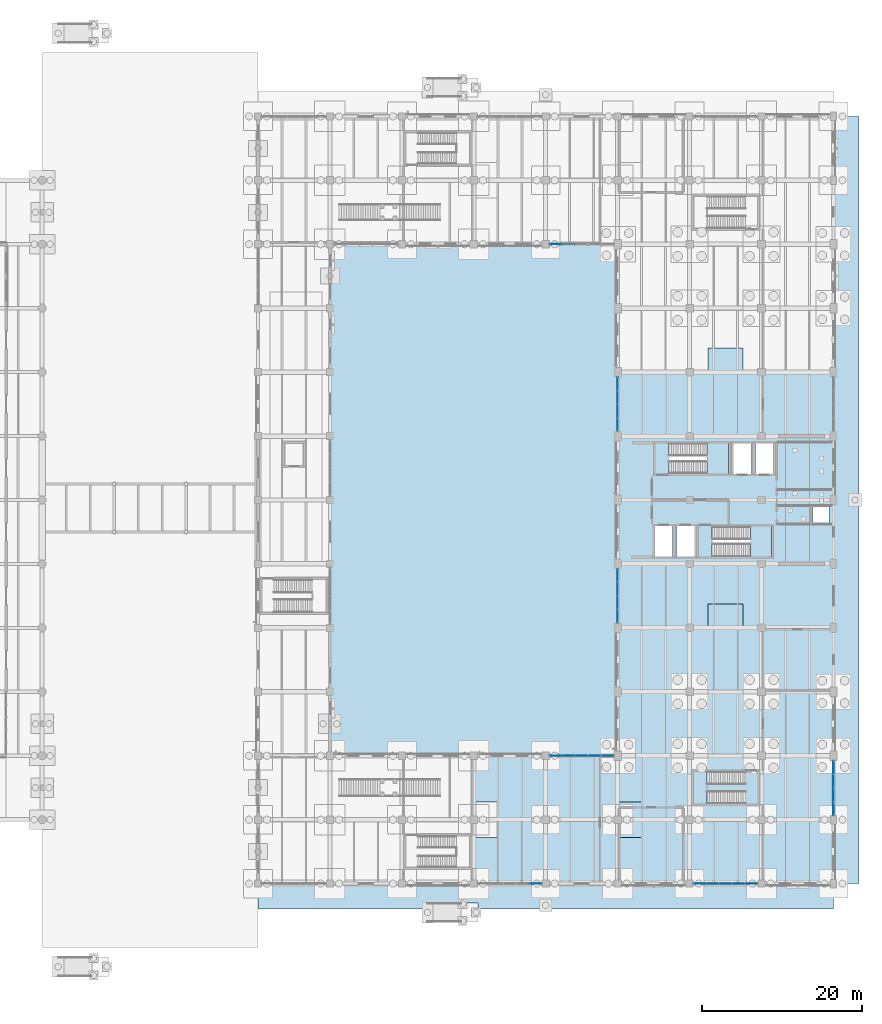
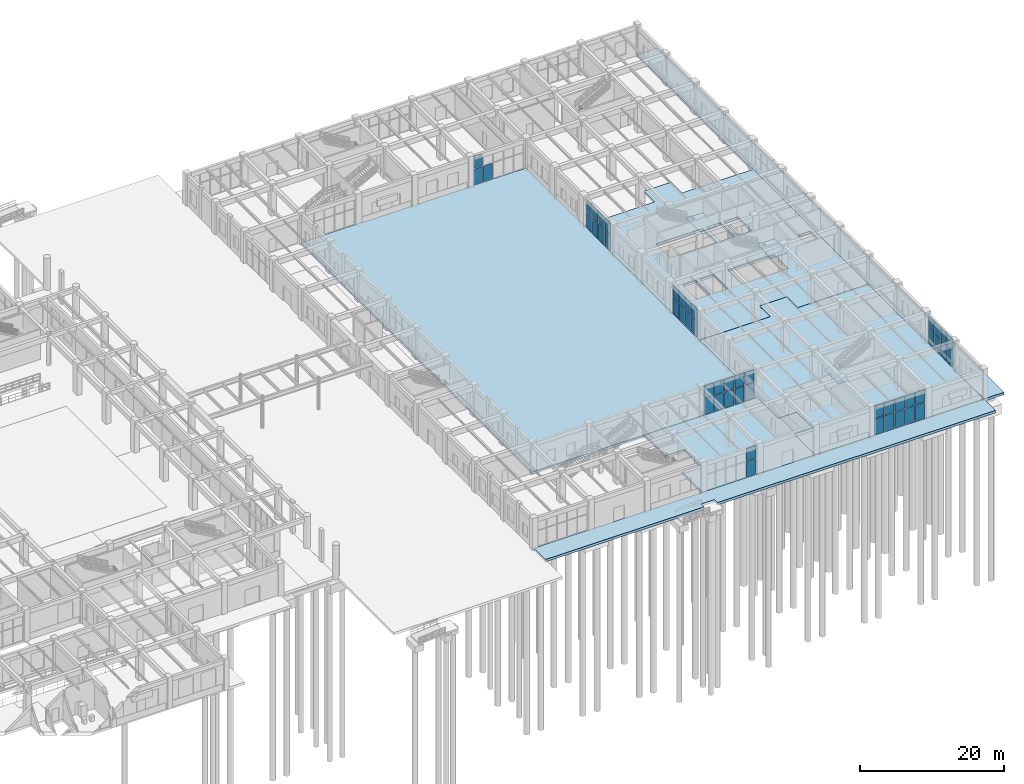
# One storey, part 86 of 121: 49 plates, 9 slabs, 10 elements without a shape of their own.
"""IFC4 building model written with IfcOpenShell, lengths in metres."""

from ifc_helpers import new_model, si_unit, derived_unit, direction, frame, origin, origin_2d, place, context, subcontext, project, spatial, polyline, rectangle, outline, extrude, material, layer, layer_set, type_object, element, aggregate, save


model = new_model("IFC4")

# Units and contexts
model_context = context("Model", 3, precision=1e-05, world=origin(), true_north=direction((0.0, 1.0)))
body_context = subcontext(model_context, "Body", "Model", "MODEL_VIEW")
ifc_project = project(units=[si_unit("LENGTHUNIT", "METRE"), si_unit("AREAUNIT", "SQUARE_METRE"), si_unit("VOLUMEUNIT", "CUBIC_METRE"), si_unit("PLANEANGLEUNIT", "RADIAN"), si_unit("MASSUNIT", "GRAM", prefix="KILO"), derived_unit("THERMALTRANSMITTANCEUNIT", [(si_unit("MASSUNIT", "GRAM", prefix="KILO"), 1), (si_unit("TIMEUNIT", "SECOND"), -3), (si_unit("THERMODYNAMICTEMPERATUREUNIT", "KELVIN"), -1)])], contexts=[model_context])

# Site, building, storey
site_placement = place(None, origin())
site = spatial("IfcSite", under=ifc_project, at=site_placement, CompositionType="ELEMENT")
building_placement = place(site_placement, origin())
building = spatial("IfcBuilding", under=site, at=building_placement, Name="Zhenchuan Archway Interchange", CompositionType="ELEMENT")
storey_placement = place(building_placement, origin())
storey = spatial("IfcBuildingStorey", under=building, at=storey_placement, Name="L00", CompositionType="ELEMENT", Elevation=0.0)

# Curtain wall, plates
ifc_material_1 = material(Name="Anodised Aluminium", Category="aluminium")
curtain_wall_type_1 = type_object("IfcCurtainWallType", Name="CW_UNIT_4", PredefinedType="NOTDEFINED", material=ifc_material_1)
curtain_wall_1_placement = place(storey_placement, origin())
curtain_wall_1 = element("IfcCurtainWall", 1, at=curtain_wall_1_placement, inside=storey, type_object=curtain_wall_type_1, Name="Unitised curtain wall CW:L00:015", PredefinedType="NOTDEFINED")
ifc_material_2 = material(Name="Double Low-E Insulated Glazing", Category="glass")
ifc_layer_1 = layer(ifc_material_2, 0.031982421875)
ifc_layer_set_1 = layer_set([ifc_layer_1], Name="Double Low-E Insulated Glazing")
plate_type_1 = type_object("IfcPlateType", Name="CW_GLZ_5", PredefinedType="CURTAIN_PANEL", material=ifc_layer_set_1)
plate_1_placement = place(storey_placement, frame((171.0, 22.5546875, 0.080078125), z_axis=(0.0, 0.0, 1.0), x_axis=(0.0, -1.0, 0.0)))
plate_1 = element("IfcPlate", 2, at=plate_1_placement, type_object=plate_type_1, Name="CW:L00:015 lower glazing panel 0", PredefinedType="CURTAIN_PANEL", context=body_context, shape_type="SweptSolid", body=[
    extrude(rectangle(XDim=1.57470703125, YDim=0.028076171875, at=origin_2d()), origin(), (0.0, 0.0, 1.0), 2.64306640625),
])
plate_2_placement = place(storey_placement, frame((171.0, 20.829833984375, 0.080078125), z_axis=(0.0, 0.0, 1.0), x_axis=(0.0, -1.0, 0.0)))
plate_2 = element("IfcPlate", 3, at=plate_2_placement, type_object=plate_type_1, Name="CW:L00:015 lower glazing panel 1", PredefinedType="CURTAIN_PANEL", context=body_context, shape_type="SweptSolid", body=[
    extrude(rectangle(XDim=1.5947265625, YDim=0.028076171875, at=origin_2d()), origin(), (0.0, 0.0, 1.0), 2.64306640625),
])
plate_3_placement = place(storey_placement, frame((171.0, 19.09521484375, 0.080078125), z_axis=(0.0, 0.0, 1.0), x_axis=(0.0, -1.0, 0.0)))
plate_3 = element("IfcPlate", 4, at=plate_3_placement, type_object=plate_type_1, Name="CW:L00:015 lower glazing panel 2", PredefinedType="CURTAIN_PANEL", context=body_context, shape_type="SweptSolid", body=[
    extrude(rectangle(XDim=1.5947265625, YDim=0.028076171875, at=origin_2d()), origin(), (0.0, 0.0, 1.0), 2.64306640625),
])
plate_4_placement = place(storey_placement, frame((171.0, 17.370361328125, 0.080078125), z_axis=(0.0, 0.0, 1.0), x_axis=(0.0, -1.0, 0.0)))
plate_4 = element("IfcPlate", 5, at=plate_4_placement, type_object=plate_type_1, Name="CW:L00:015 lower glazing panel 3", PredefinedType="CURTAIN_PANEL", context=body_context, shape_type="SweptSolid", body=[
    extrude(rectangle(XDim=1.57470703125, YDim=0.028076171875, at=origin_2d()), origin(), (0.0, 0.0, 1.0), 2.64306640625),
])

curtain_wall_type_2 = type_object("IfcCurtainWallType", Name="CW_UNIT_1", PredefinedType="NOTDEFINED", material=ifc_material_1)
curtain_wall_2_placement = place(storey_placement, origin())
curtain_wall_2 = element("IfcCurtainWall", 6, at=curtain_wall_2_placement, inside=storey, type_object=curtain_wall_type_2, Name="Unitised curtain wall CW:L00:016", PredefinedType="NOTDEFINED")
plate_5_placement = place(storey_placement, frame((160.755615234375, 8.0, 0.080078125), z_axis=(0.0, 0.0, 1.0), x_axis=(-1.0, 0.0, 0.0)))
plate_5 = element("IfcPlate", 7, at=plate_5_placement, type_object=plate_type_1, Name="CW:L00:016 lower glazing panel 0", PredefinedType="CURTAIN_PANEL", context=body_context, shape_type="SweptSolid", body=[
    extrude(rectangle(XDim=1.472900390625, YDim=0.028076171875, at=origin_2d()), origin(), (0.0, 0.0, 1.0), 2.64306640625),
])
plate_6_placement = place(storey_placement, frame((159.1328125, 8.0, 0.080078125), z_axis=(0.0, 0.0, 1.0), x_axis=(-1.0, 0.0, 0.0)))
plate_6 = element("IfcPlate", 8, at=plate_6_placement, type_object=plate_type_1, Name="CW:L00:016 lower glazing panel 1", PredefinedType="CURTAIN_PANEL", context=body_context, shape_type="SweptSolid", body=[
    extrude(rectangle(XDim=1.492919921875, YDim=0.028076171875, at=origin_2d()), origin(), (0.0, 0.0, 1.0), 2.64306640625),
])
plate_7_placement = place(storey_placement, frame((157.5, 8.0, 0.080078125), z_axis=(0.0, 0.0, 1.0), x_axis=(-1.0, 0.0, 0.0)))
plate_7 = element("IfcPlate", 9, at=plate_7_placement, type_object=plate_type_1, Name="CW:L00:016 lower glazing panel 2", PredefinedType="CURTAIN_PANEL", context=body_context, shape_type="SweptSolid", body=[
    extrude(rectangle(XDim=1.492919921875, YDim=0.028076171875, at=origin_2d()), origin(), (0.0, 0.0, 1.0), 2.64306640625),
])
plate_8_placement = place(storey_placement, frame((155.8671875, 8.0, 0.080078125), z_axis=(0.0, 0.0, 1.0), x_axis=(-1.0, 0.0, 0.0)))
plate_8 = element("IfcPlate", 10, at=plate_8_placement, type_object=plate_type_1, Name="CW:L00:016 lower glazing panel 3", PredefinedType="CURTAIN_PANEL", context=body_context, shape_type="SweptSolid", body=[
    extrude(rectangle(XDim=1.492919921875, YDim=0.028076171875, at=origin_2d()), origin(), (0.0, 0.0, 1.0), 2.64306640625),
])
plate_9_placement = place(storey_placement, frame((154.244384765625, 8.0, 0.080078125), z_axis=(0.0, 0.0, 1.0), x_axis=(-1.0, 0.0, 0.0)))
plate_9 = element("IfcPlate", 11, at=plate_9_placement, type_object=plate_type_1, Name="CW:L00:016 lower glazing panel 4", PredefinedType="CURTAIN_PANEL", context=body_context, shape_type="SweptSolid", body=[
    extrude(rectangle(XDim=1.472900390625, YDim=0.028076171875, at=origin_2d()), origin(), (0.0, 0.0, 1.0), 2.64306640625),
])

# Curtain wall, plate
curtain_wall_type_3 = type_object("IfcCurtainWallType", Name="CW_UNIT_2", PredefinedType="NOTDEFINED", material=ifc_material_1)
curtain_wall_3_placement = place(storey_placement, origin())
curtain_wall_3 = element("IfcCurtainWall", 12, at=curtain_wall_3_placement, inside=storey, type_object=curtain_wall_type_3, Name="Unitised curtain wall CW:L00:017", PredefinedType="NOTDEFINED")
plate_10_placement = place(storey_placement, frame((133.755615234375, 8.0, 0.080078125), z_axis=(0.0, 0.0, 1.0), x_axis=(-1.0, 0.0, 0.0)))
plate_10 = element("IfcPlate", 13, at=plate_10_placement, type_object=plate_type_1, Name="CW:L00:017 lower glazing panel 0", PredefinedType="CURTAIN_PANEL", context=body_context, shape_type="SweptSolid", body=[
    extrude(rectangle(XDim=1.472900390625, YDim=0.028076171875, at=origin_2d()), origin(), (0.0, 0.0, 1.0), 2.64306640625),
])

# Curtain wall, plates
curtain_wall_4_placement = place(storey_placement, origin())
curtain_wall_4 = element("IfcCurtainWall", 14, at=curtain_wall_4_placement, inside=storey, type_object=curtain_wall_type_2, Name="Unitised curtain wall CW:L00:020", PredefinedType="NOTDEFINED")
plate_11_placement = place(storey_placement, frame((136.244384765625, 24.0, 0.080078125), z_axis=(0.0, 0.0, 1.0), x_axis=(1.0, 0.0, 0.0)))
plate_11 = element("IfcPlate", 15, at=plate_11_placement, type_object=plate_type_1, Name="CW:L00:020 lower glazing panel 0", PredefinedType="CURTAIN_PANEL", context=body_context, shape_type="SweptSolid", body=[
    extrude(rectangle(XDim=1.472900390625, YDim=0.028076171875, at=origin_2d()), origin(), (0.0, 0.0, 1.0), 2.64306640625),
])
plate_12_placement = place(storey_placement, frame((137.8671875, 24.0, 0.080078125), z_axis=(0.0, 0.0, 1.0), x_axis=(1.0, 0.0, 0.0)))
plate_12 = element("IfcPlate", 16, at=plate_12_placement, type_object=plate_type_1, Name="CW:L00:020 lower glazing panel 1", PredefinedType="CURTAIN_PANEL", context=body_context, shape_type="SweptSolid", body=[
    extrude(rectangle(XDim=1.492919921875, YDim=0.028076171875, at=origin_2d()), origin(), (0.0, 0.0, 1.0), 2.64306640625),
])
plate_13_placement = place(storey_placement, frame((139.5, 24.0, 0.080078125), z_axis=(0.0, 0.0, 1.0), x_axis=(1.0, 0.0, 0.0)))
plate_13 = element("IfcPlate", 17, at=plate_13_placement, type_object=plate_type_1, Name="CW:L00:020 lower glazing panel 2", PredefinedType="CURTAIN_PANEL", context=body_context, shape_type="SweptSolid", body=[
    extrude(rectangle(XDim=1.492919921875, YDim=0.028076171875, at=origin_2d()), origin(), (0.0, 0.0, 1.0), 2.64306640625),
])
plate_14_placement = place(storey_placement, frame((141.1328125, 24.0, 0.080078125), z_axis=(0.0, 0.0, 1.0), x_axis=(1.0, 0.0, 0.0)))
plate_14 = element("IfcPlate", 18, at=plate_14_placement, type_object=plate_type_1, Name="CW:L00:020 lower glazing panel 3", PredefinedType="CURTAIN_PANEL", context=body_context, shape_type="SweptSolid", body=[
    extrude(rectangle(XDim=1.492919921875, YDim=0.028076171875, at=origin_2d()), origin(), (0.0, 0.0, 1.0), 2.64306640625),
])
plate_15_placement = place(storey_placement, frame((142.755615234375, 24.0, 0.080078125), z_axis=(0.0, 0.0, 1.0), x_axis=(1.0, 0.0, 0.0)))
plate_15 = element("IfcPlate", 19, at=plate_15_placement, type_object=plate_type_1, Name="CW:L00:020 lower glazing panel 4", PredefinedType="CURTAIN_PANEL", context=body_context, shape_type="SweptSolid", body=[
    extrude(rectangle(XDim=1.472900390625, YDim=0.028076171875, at=origin_2d()), origin(), (0.0, 0.0, 1.0), 2.64306640625),
])

curtain_wall_5_placement = place(storey_placement, origin())
curtain_wall_5 = element("IfcCurtainWall", 20, at=curtain_wall_5_placement, inside=storey, type_object=curtain_wall_type_3, Name="Unitised curtain wall CW:L00:021", PredefinedType="NOTDEFINED")
plate_16_placement = place(storey_placement, frame((144.0, 41.43603515625, 0.080078125), z_axis=(0.0, 0.0, 1.0), x_axis=(0.0, 1.0, 0.0)))
plate_16 = element("IfcPlate", 21, at=plate_16_placement, type_object=plate_type_1, Name="CW:L00:021 lower glazing panel 0", PredefinedType="CURTAIN_PANEL", context=body_context, shape_type="SweptSolid", body=[
    extrude(rectangle(XDim=1.555908203125, YDim=0.028076171875, at=origin_2d()), origin(), (0.0, 0.0, 1.0), 2.64306640625),
])
plate_17_placement = place(storey_placement, frame((144.0, 43.14208984375, 0.080078125), z_axis=(0.0, 0.0, 1.0), x_axis=(0.0, 1.0, 0.0)))
plate_17 = element("IfcPlate", 22, at=plate_17_placement, type_object=plate_type_1, Name="CW:L00:021 lower glazing panel 1", PredefinedType="CURTAIN_PANEL", context=body_context, shape_type="SweptSolid", body=[
    extrude(rectangle(XDim=1.575927734375, YDim=0.028076171875, at=origin_2d()), origin(), (0.0, 0.0, 1.0), 2.64306640625),
])
plate_18_placement = place(storey_placement, frame((144.0, 44.85791015625, 0.080078125), z_axis=(0.0, 0.0, 1.0), x_axis=(0.0, 1.0, 0.0)))
plate_18 = element("IfcPlate", 23, at=plate_18_placement, type_object=plate_type_1, Name="CW:L00:021 lower glazing panel 2", PredefinedType="CURTAIN_PANEL", context=body_context, shape_type="SweptSolid", body=[
    extrude(rectangle(XDim=1.575927734375, YDim=0.028076171875, at=origin_2d()), origin(), (0.0, 0.0, 1.0), 2.64306640625),
])
plate_19_placement = place(storey_placement, frame((144.0, 46.56396484375, 0.080078125), z_axis=(0.0, 0.0, 1.0), x_axis=(0.0, 1.0, 0.0)))
plate_19 = element("IfcPlate", 24, at=plate_19_placement, type_object=plate_type_1, Name="CW:L00:021 lower glazing panel 3", PredefinedType="CURTAIN_PANEL", context=body_context, shape_type="SweptSolid", body=[
    extrude(rectangle(XDim=1.555908203125, YDim=0.028076171875, at=origin_2d()), origin(), (0.0, 0.0, 1.0), 2.64306640625),
])

curtain_wall_type_4 = type_object("IfcCurtainWallType", Name="CW_UNIT_3", PredefinedType="NOTDEFINED", material=ifc_material_1)
curtain_wall_6_placement = place(storey_placement, origin())
curtain_wall_6 = element("IfcCurtainWall", 25, at=curtain_wall_6_placement, inside=storey, type_object=curtain_wall_type_4, Name="Unitised curtain wall CW:L00:022", PredefinedType="NOTDEFINED")
plate_20_placement = place(storey_placement, frame((144.0, 65.43603515625, 0.080078125), z_axis=(0.0, 0.0, 1.0), x_axis=(0.0, 1.0, 0.0)))
plate_20 = element("IfcPlate", 26, at=plate_20_placement, type_object=plate_type_1, Name="CW:L00:022 lower glazing panel 0", PredefinedType="CURTAIN_PANEL", context=body_context, shape_type="SweptSolid", body=[
    extrude(rectangle(XDim=1.555908203125, YDim=0.028076171875, at=origin_2d()), origin(), (0.0, 0.0, 1.0), 2.64306640625),
])
plate_21_placement = place(storey_placement, frame((144.0, 67.14208984375, 0.080078125), z_axis=(0.0, 0.0, 1.0), x_axis=(0.0, 1.0, 0.0)))
plate_21 = element("IfcPlate", 27, at=plate_21_placement, type_object=plate_type_1, Name="CW:L00:022 lower glazing panel 1", PredefinedType="CURTAIN_PANEL", context=body_context, shape_type="SweptSolid", body=[
    extrude(rectangle(XDim=1.575927734375, YDim=0.028076171875, at=origin_2d()), origin(), (0.0, 0.0, 1.0), 2.64306640625),
])
plate_22_placement = place(storey_placement, frame((144.0, 68.85791015625, 0.080078125), z_axis=(0.0, 0.0, 1.0), x_axis=(0.0, 1.0, 0.0)))
plate_22 = element("IfcPlate", 28, at=plate_22_placement, type_object=plate_type_1, Name="CW:L00:022 lower glazing panel 2", PredefinedType="CURTAIN_PANEL", context=body_context, shape_type="SweptSolid", body=[
    extrude(rectangle(XDim=1.575927734375, YDim=0.028076171875, at=origin_2d()), origin(), (0.0, 0.0, 1.0), 2.64306640625),
])
plate_23_placement = place(storey_placement, frame((144.0, 70.56396484375, 0.080078125), z_axis=(0.0, 0.0, 1.0), x_axis=(0.0, 1.0, 0.0)))
plate_23 = element("IfcPlate", 29, at=plate_23_placement, type_object=plate_type_1, Name="CW:L00:022 lower glazing panel 3", PredefinedType="CURTAIN_PANEL", context=body_context, shape_type="SweptSolid", body=[
    extrude(rectangle(XDim=1.555908203125, YDim=0.028076171875, at=origin_2d()), origin(), (0.0, 0.0, 1.0), 2.64306640625),
])

curtain_wall_7_placement = place(storey_placement, origin())
curtain_wall_7 = element("IfcCurtainWall", 30, at=curtain_wall_7_placement, inside=storey, type_object=curtain_wall_type_1, Name="Unitised curtain wall CW:L00:023", PredefinedType="NOTDEFINED")
plate_24_placement = place(storey_placement, frame((137.8671875, 88.0, 0.080078125), z_axis=(0.0, 0.0, 1.0), x_axis=(-1.0, 0.0, 0.0)))
plate_24 = element("IfcPlate", 31, at=plate_24_placement, type_object=plate_type_1, Name="CW:L00:023 lower glazing panel 3", PredefinedType="CURTAIN_PANEL", context=body_context, shape_type="SweptSolid", body=[
    extrude(rectangle(XDim=1.492919921875, YDim=0.028076171875, at=origin_2d()), origin(), (0.0, 0.0, 1.0), 2.64306640625),
])
plate_25_placement = place(storey_placement, frame((136.244384765625, 88.0, 0.080078125), z_axis=(0.0, 0.0, 1.0), x_axis=(-1.0, 0.0, 0.0)))
plate_25 = element("IfcPlate", 32, at=plate_25_placement, type_object=plate_type_1, Name="CW:L00:023 lower glazing panel 4", PredefinedType="CURTAIN_PANEL", context=body_context, shape_type="SweptSolid", body=[
    extrude(rectangle(XDim=1.472900390625, YDim=0.028076171875, at=origin_2d()), origin(), (0.0, 0.0, 1.0), 2.64306640625),
])

# Plate
ifc_layer_2 = layer(ifc_material_2, 0.02197265625)
ifc_layer_set_2 = layer_set([ifc_layer_2], Name="Double Low-E Insulated Glazing")
plate_type_2 = type_object("IfcPlateType", Name="CW_GLZ_6", PredefinedType="CURTAIN_PANEL", material=ifc_layer_set_2)
plate_26_placement = place(storey_placement, frame((171.0, 22.5546875, 2.84326171875), z_axis=(0.0, 0.0, 1.0), x_axis=(0.0, -1.0, 0.0)))
plate_26 = element("IfcPlate", 33, at=plate_26_placement, type_object=plate_type_2, Name="CW:L00:015 upper glazing panel 0", PredefinedType="CURTAIN_PANEL", context=body_context, shape_type="SweptSolid", body=[
    extrude(rectangle(XDim=1.57470703125, YDim=0.02587890625, at=origin_2d()), origin(), (0.0, 0.0, 1.0), 2.136962890625),
])

plate_27_placement = place(storey_placement, frame((171.0, 20.829833984375, 2.84326171875), z_axis=(0.0, 0.0, 1.0), x_axis=(0.0, -1.0, 0.0)))
plate_27 = element("IfcPlate", 34, at=plate_27_placement, type_object=plate_type_2, Name="CW:L00:015 upper glazing panel 1", PredefinedType="CURTAIN_PANEL", context=body_context, shape_type="SweptSolid", body=[
    extrude(rectangle(XDim=1.5947265625, YDim=0.02587890625, at=origin_2d()), origin(), (0.0, 0.0, 1.0), 2.136962890625),
])

plate_28_placement = place(storey_placement, frame((171.0, 19.09521484375, 2.84326171875), z_axis=(0.0, 0.0, 1.0), x_axis=(0.0, -1.0, 0.0)))
plate_28 = element("IfcPlate", 35, at=plate_28_placement, type_object=plate_type_2, Name="CW:L00:015 upper glazing panel 2", PredefinedType="CURTAIN_PANEL", context=body_context, shape_type="SweptSolid", body=[
    extrude(rectangle(XDim=1.5947265625, YDim=0.02587890625, at=origin_2d()), origin(), (0.0, 0.0, 1.0), 2.136962890625),
])

plate_29_placement = place(storey_placement, frame((171.0, 17.370361328125, 2.84326171875), z_axis=(0.0, 0.0, 1.0), x_axis=(0.0, -1.0, 0.0)))
plate_29 = element("IfcPlate", 36, at=plate_29_placement, type_object=plate_type_2, Name="CW:L00:015 upper glazing panel 3", PredefinedType="CURTAIN_PANEL", context=body_context, shape_type="SweptSolid", body=[
    extrude(rectangle(XDim=1.57470703125, YDim=0.02587890625, at=origin_2d()), origin(), (0.0, 0.0, 1.0), 2.136962890625),
])

aggregate(curtain_wall_1, [plate_1, plate_26, plate_2, plate_27, plate_3, plate_28, plate_4, plate_29])

plate_30_placement = place(storey_placement, frame((160.755615234375, 8.0, 2.84326171875), z_axis=(0.0, 0.0, 1.0), x_axis=(-1.0, 0.0, 0.0)))
plate_30 = element("IfcPlate", 37, at=plate_30_placement, type_object=plate_type_2, Name="CW:L00:016 upper glazing panel 0", PredefinedType="CURTAIN_PANEL", context=body_context, shape_type="SweptSolid", body=[
    extrude(rectangle(XDim=1.472900390625, YDim=0.02587890625, at=origin_2d()), origin(), (0.0, 0.0, 1.0), 2.136962890625),
])

plate_31_placement = place(storey_placement, frame((159.1328125, 8.0, 2.84326171875), z_axis=(0.0, 0.0, 1.0), x_axis=(-1.0, 0.0, 0.0)))
plate_31 = element("IfcPlate", 38, at=plate_31_placement, type_object=plate_type_2, Name="CW:L00:016 upper glazing panel 1", PredefinedType="CURTAIN_PANEL", context=body_context, shape_type="SweptSolid", body=[
    extrude(rectangle(XDim=1.492919921875, YDim=0.02587890625, at=origin_2d()), origin(), (0.0, 0.0, 1.0), 2.136962890625),
])

plate_32_placement = place(storey_placement, frame((157.5, 8.0, 2.84326171875), z_axis=(0.0, 0.0, 1.0), x_axis=(-1.0, 0.0, 0.0)))
plate_32 = element("IfcPlate", 39, at=plate_32_placement, type_object=plate_type_2, Name="CW:L00:016 upper glazing panel 2", PredefinedType="CURTAIN_PANEL", context=body_context, shape_type="SweptSolid", body=[
    extrude(rectangle(XDim=1.492919921875, YDim=0.02587890625, at=origin_2d()), origin(), (0.0, 0.0, 1.0), 2.136962890625),
])

plate_33_placement = place(storey_placement, frame((155.8671875, 8.0, 2.84326171875), z_axis=(0.0, 0.0, 1.0), x_axis=(-1.0, 0.0, 0.0)))
plate_33 = element("IfcPlate", 40, at=plate_33_placement, type_object=plate_type_2, Name="CW:L00:016 upper glazing panel 3", PredefinedType="CURTAIN_PANEL", context=body_context, shape_type="SweptSolid", body=[
    extrude(rectangle(XDim=1.492919921875, YDim=0.02587890625, at=origin_2d()), origin(), (0.0, 0.0, 1.0), 2.136962890625),
])

plate_34_placement = place(storey_placement, frame((154.244384765625, 8.0, 2.84326171875), z_axis=(0.0, 0.0, 1.0), x_axis=(-1.0, 0.0, 0.0)))
plate_34 = element("IfcPlate", 41, at=plate_34_placement, type_object=plate_type_2, Name="CW:L00:016 upper glazing panel 4", PredefinedType="CURTAIN_PANEL", context=body_context, shape_type="SweptSolid", body=[
    extrude(rectangle(XDim=1.472900390625, YDim=0.02587890625, at=origin_2d()), origin(), (0.0, 0.0, 1.0), 2.136962890625),
])

aggregate(curtain_wall_2, [plate_5, plate_30, plate_6, plate_31, plate_7, plate_32, plate_8, plate_33, plate_9, plate_34])

plate_35_placement = place(storey_placement, frame((133.755615234375, 8.0, 2.84326171875), z_axis=(0.0, 0.0, 1.0), x_axis=(-1.0, 0.0, 0.0)))
plate_35 = element("IfcPlate", 42, at=plate_35_placement, type_object=plate_type_2, Name="CW:L00:017 upper glazing panel 0", PredefinedType="CURTAIN_PANEL", context=body_context, shape_type="SweptSolid", body=[
    extrude(rectangle(XDim=1.472900390625, YDim=0.02587890625, at=origin_2d()), origin(), (0.0, 0.0, 1.0), 2.136962890625),
])

aggregate(curtain_wall_3, [plate_10, plate_35])

plate_36_placement = place(storey_placement, frame((136.244384765625, 24.0, 2.84326171875), z_axis=(0.0, 0.0, 1.0), x_axis=(1.0, 0.0, 0.0)))
plate_36 = element("IfcPlate", 43, at=plate_36_placement, type_object=plate_type_2, Name="CW:L00:020 upper glazing panel 0", PredefinedType="CURTAIN_PANEL", context=body_context, shape_type="SweptSolid", body=[
    extrude(rectangle(XDim=1.472900390625, YDim=0.02587890625, at=origin_2d()), origin(), (0.0, 0.0, 1.0), 2.136962890625),
])

plate_37_placement = place(storey_placement, frame((137.8671875, 24.0, 2.84326171875), z_axis=(0.0, 0.0, 1.0), x_axis=(1.0, 0.0, 0.0)))
plate_37 = element("IfcPlate", 44, at=plate_37_placement, type_object=plate_type_2, Name="CW:L00:020 upper glazing panel 1", PredefinedType="CURTAIN_PANEL", context=body_context, shape_type="SweptSolid", body=[
    extrude(rectangle(XDim=1.492919921875, YDim=0.02587890625, at=origin_2d()), origin(), (0.0, 0.0, 1.0), 2.136962890625),
])

plate_38_placement = place(storey_placement, frame((139.5, 24.0, 2.84326171875), z_axis=(0.0, 0.0, 1.0), x_axis=(1.0, 0.0, 0.0)))
plate_38 = element("IfcPlate", 45, at=plate_38_placement, type_object=plate_type_2, Name="CW:L00:020 upper glazing panel 2", PredefinedType="CURTAIN_PANEL", context=body_context, shape_type="SweptSolid", body=[
    extrude(rectangle(XDim=1.492919921875, YDim=0.02587890625, at=origin_2d()), origin(), (0.0, 0.0, 1.0), 2.136962890625),
])

plate_39_placement = place(storey_placement, frame((141.1328125, 24.0, 2.84326171875), z_axis=(0.0, 0.0, 1.0), x_axis=(1.0, 0.0, 0.0)))
plate_39 = element("IfcPlate", 46, at=plate_39_placement, type_object=plate_type_2, Name="CW:L00:020 upper glazing panel 3", PredefinedType="CURTAIN_PANEL", context=body_context, shape_type="SweptSolid", body=[
    extrude(rectangle(XDim=1.492919921875, YDim=0.02587890625, at=origin_2d()), origin(), (0.0, 0.0, 1.0), 2.136962890625),
])

plate_40_placement = place(storey_placement, frame((142.755615234375, 24.0, 2.84326171875), z_axis=(0.0, 0.0, 1.0), x_axis=(1.0, 0.0, 0.0)))
plate_40 = element("IfcPlate", 47, at=plate_40_placement, type_object=plate_type_2, Name="CW:L00:020 upper glazing panel 4", PredefinedType="CURTAIN_PANEL", context=body_context, shape_type="SweptSolid", body=[
    extrude(rectangle(XDim=1.472900390625, YDim=0.02587890625, at=origin_2d()), origin(), (0.0, 0.0, 1.0), 2.136962890625),
])

aggregate(curtain_wall_4, [plate_11, plate_36, plate_12, plate_37, plate_13, plate_38, plate_14, plate_39, plate_15, plate_40])

plate_41_placement = place(storey_placement, frame((144.0, 41.43603515625, 2.84326171875), z_axis=(0.0, 0.0, 1.0), x_axis=(0.0, 1.0, 0.0)))
plate_41 = element("IfcPlate", 48, at=plate_41_placement, type_object=plate_type_2, Name="CW:L00:021 upper glazing panel 0", PredefinedType="CURTAIN_PANEL", context=body_context, shape_type="SweptSolid", body=[
    extrude(rectangle(XDim=1.555908203125, YDim=0.02587890625, at=origin_2d()), origin(), (0.0, 0.0, 1.0), 2.136962890625),
])

plate_42_placement = place(storey_placement, frame((144.0, 43.14208984375, 2.84326171875), z_axis=(0.0, 0.0, 1.0), x_axis=(0.0, 1.0, 0.0)))
plate_42 = element("IfcPlate", 49, at=plate_42_placement, type_object=plate_type_2, Name="CW:L00:021 upper glazing panel 1", PredefinedType="CURTAIN_PANEL", context=body_context, shape_type="SweptSolid", body=[
    extrude(rectangle(XDim=1.575927734375, YDim=0.02587890625, at=origin_2d()), origin(), (0.0, 0.0, 1.0), 2.136962890625),
])

plate_43_placement = place(storey_placement, frame((144.0, 44.85791015625, 2.84326171875), z_axis=(0.0, 0.0, 1.0), x_axis=(0.0, 1.0, 0.0)))
plate_43 = element("IfcPlate", 50, at=plate_43_placement, type_object=plate_type_2, Name="CW:L00:021 upper glazing panel 2", PredefinedType="CURTAIN_PANEL", context=body_context, shape_type="SweptSolid", body=[
    extrude(rectangle(XDim=1.575927734375, YDim=0.02587890625, at=origin_2d()), origin(), (0.0, 0.0, 1.0), 2.136962890625),
])

plate_44_placement = place(storey_placement, frame((144.0, 46.56396484375, 2.84326171875), z_axis=(0.0, 0.0, 1.0), x_axis=(0.0, 1.0, 0.0)))
plate_44 = element("IfcPlate", 51, at=plate_44_placement, type_object=plate_type_2, Name="CW:L00:021 upper glazing panel 3", PredefinedType="CURTAIN_PANEL", context=body_context, shape_type="SweptSolid", body=[
    extrude(rectangle(XDim=1.555908203125, YDim=0.02587890625, at=origin_2d()), origin(), (0.0, 0.0, 1.0), 2.136962890625),
])

aggregate(curtain_wall_5, [plate_16, plate_41, plate_17, plate_42, plate_18, plate_43, plate_19, plate_44])

plate_45_placement = place(storey_placement, frame((144.0, 65.43603515625, 2.84326171875), z_axis=(0.0, 0.0, 1.0), x_axis=(0.0, 1.0, 0.0)))
plate_45 = element("IfcPlate", 52, at=plate_45_placement, type_object=plate_type_2, Name="CW:L00:022 upper glazing panel 0", PredefinedType="CURTAIN_PANEL", context=body_context, shape_type="SweptSolid", body=[
    extrude(rectangle(XDim=1.555908203125, YDim=0.02587890625, at=origin_2d()), origin(), (0.0, 0.0, 1.0), 2.136962890625),
])

plate_46_placement = place(storey_placement, frame((144.0, 67.14208984375, 2.84326171875), z_axis=(0.0, 0.0, 1.0), x_axis=(0.0, 1.0, 0.0)))
plate_46 = element("IfcPlate", 53, at=plate_46_placement, type_object=plate_type_2, Name="CW:L00:022 upper glazing panel 1", PredefinedType="CURTAIN_PANEL", context=body_context, shape_type="SweptSolid", body=[
    extrude(rectangle(XDim=1.575927734375, YDim=0.02587890625, at=origin_2d()), origin(), (0.0, 0.0, 1.0), 2.136962890625),
])

plate_47_placement = place(storey_placement, frame((144.0, 68.85791015625, 2.84326171875), z_axis=(0.0, 0.0, 1.0), x_axis=(0.0, 1.0, 0.0)))
plate_47 = element("IfcPlate", 54, at=plate_47_placement, type_object=plate_type_2, Name="CW:L00:022 upper glazing panel 2", PredefinedType="CURTAIN_PANEL", context=body_context, shape_type="SweptSolid", body=[
    extrude(rectangle(XDim=1.575927734375, YDim=0.02587890625, at=origin_2d()), origin(), (0.0, 0.0, 1.0), 2.136962890625),
])

plate_48_placement = place(storey_placement, frame((144.0, 70.56396484375, 2.84326171875), z_axis=(0.0, 0.0, 1.0), x_axis=(0.0, 1.0, 0.0)))
plate_48 = element("IfcPlate", 55, at=plate_48_placement, type_object=plate_type_2, Name="CW:L00:022 upper glazing panel 3", PredefinedType="CURTAIN_PANEL", context=body_context, shape_type="SweptSolid", body=[
    extrude(rectangle(XDim=1.555908203125, YDim=0.02587890625, at=origin_2d()), origin(), (0.0, 0.0, 1.0), 2.136962890625),
])

aggregate(curtain_wall_6, [plate_20, plate_45, plate_21, plate_46, plate_22, plate_47, plate_23, plate_48])

plate_49_placement = place(storey_placement, frame((136.244384765625, 88.0, 2.84326171875), z_axis=(0.0, 0.0, 1.0), x_axis=(-1.0, 0.0, 0.0)))
plate_49 = element("IfcPlate", 56, at=plate_49_placement, type_object=plate_type_2, Name="CW:L00:023 upper glazing panel 4", PredefinedType="CURTAIN_PANEL", context=body_context, shape_type="SweptSolid", body=[
    extrude(rectangle(XDim=1.472900390625, YDim=0.02587890625, at=origin_2d()), origin(), (0.0, 0.0, 1.0), 2.136962890625),
])

aggregate(curtain_wall_7, [plate_24, plate_25, plate_49])

# Slabs
ifc_material_3 = material(Name="Concrete C40", Category="concrete")
ifc_layer_3 = layer(ifc_material_3, 0.419921875)
ifc_layer_set_3 = layer_set([ifc_layer_3], Name="Concrete C40")
slab_type_1 = type_object("IfcSlabType", Name="SLB_FLR_420", PredefinedType="FLOOR", material=ifc_layer_set_3)
slab_1_placement = place(storey_placement, frame((0.0, 0.0, -0.419921875)))
element("IfcSlab", 57, at=slab_1_placement, inside=storey, type_object=slab_type_1, Name="Structural slab L00 OPS-S2", PredefinedType="FLOOR", context=body_context, shape_type="SweptSolid", body=[
    extrude(outline(polyline([(144.0, 24.0), (144.0, 18.197998046875), (146.998046875, 18.197998046875), (146.998046875, 13.802001953125), (144.0, 13.802001953125), (144.0, 8.0), (126.0, 8.0), (126.0, 13.800048828125), (129.0, 13.800048828125), (129.0, 18.199951171875), (126.0, 18.199951171875), (126.0, 24.0), (144.0, 24.0)])), origin(), (0.0, 0.0, 1.0), 0.419921875),
])
slab_2_placement = place(storey_placement, frame((0.0, 0.0, -0.419921875)))
element("IfcSlab", 58, at=slab_2_placement, inside=storey, type_object=slab_type_1, Name="Structural slab L00 OPS-ES", PredefinedType="FLOOR", context=body_context, shape_type="SweptSolid", body=[
    extrude(outline(polyline([(155.302001953125, 40.0), (155.302001953125, 42.998046875), (159.697998046875, 42.998046875), (159.697998046875, 40.0), (171.0, 40.0), (171.0, 8.0), (144.0, 8.0), (144.0, 13.800048828125), (147.0, 13.800048828125), (147.0, 18.199951171875), (144.0, 18.199951171875), (144.0, 40.0), (155.302001953125, 40.0)])), origin(), (0.0, 0.0, 1.0), 0.419921875),
])
slab_3_placement = place(storey_placement, frame((0.0, 0.0, -0.419921875)))
element("IfcSlab", 59, at=slab_3_placement, inside=storey, type_object=slab_type_1, Name="Structural slab L00 OPS-EM", PredefinedType="FLOOR", context=body_context, shape_type="SweptSolid", body=[
    extrude(outline(polyline([(159.699951171875, 40.0), (159.699951171875, 43.0), (155.300048828125, 43.0), (155.300048828125, 40.0), (144.0, 40.0), (144.0, 72.0), (155.302001953125, 72.0), (155.302001953125, 74.998046875), (159.697998046875, 74.998046875), (159.697998046875, 72.0), (171.0, 72.0), (171.0, 40.0), (159.699951171875, 40.0)]), holes=[polyline([(150.425048828125, 63.125), (150.425048828125, 59.27490234375), (157.875, 59.27490234375), (157.875, 63.125), (150.425048828125, 63.125)]), polyline([(163.27490234375, 52.72509765625), (155.824951171875, 52.72509765625), (155.824951171875, 48.875), (163.27490234375, 48.875), (163.27490234375, 52.72509765625)]), polyline([(160.72998046875, 59.27001953125), (160.72998046875, 63.1298828125), (158.469970703125, 63.1298828125), (158.469970703125, 59.27001953125), (160.72998046875, 59.27001953125)]), polyline([(161.219970703125, 59.27001953125), (163.47998046875, 59.27001953125), (163.47998046875, 63.1298828125), (161.219970703125, 63.1298828125), (161.219970703125, 59.27001953125)]), polyline([(148.6201171875, 52.72998046875), (148.6201171875, 48.8701171875), (150.8798828125, 48.8701171875), (150.8798828125, 52.72998046875), (148.6201171875, 52.72998046875)]), polyline([(153.6201171875, 52.72998046875), (151.360107421875, 52.72998046875), (151.360107421875, 48.8701171875), (153.6201171875, 48.8701171875), (153.6201171875, 52.72998046875)]), polyline([(170.449951171875, 53.14990234375), (170.449951171875, 55.10009765625), (168.449951171875, 55.10009765625), (168.449951171875, 53.14990234375), (170.449951171875, 53.14990234375)])]), origin(), (0.0, 0.0, 1.0), 0.419921875),
])
slab_4_placement = place(storey_placement, frame((0.0, 0.0, -0.419921875)))
element("IfcSlab", 60, at=slab_4_placement, inside=storey, type_object=slab_type_1, Name="Exterior structural deck slab B1-LID-COURT", PredefinedType="FLOOR", context=body_context, shape_type="SweptSolid", body=[
    extrude(outline(polyline([(143.9970703125, 24.0029296875), (108.0029296875, 24.0029296875), (108.0029296875, 87.9970703125), (143.9970703125, 87.9970703125), (143.9970703125, 24.0029296875)])), origin(), (0.0, 0.0, 1.0), 0.419921875),
])
slab_5_placement = place(storey_placement, frame((0.0, 0.0, -0.419921875)))
element("IfcSlab", 61, at=slab_5_placement, inside=storey, type_object=slab_type_1, Name="Exterior structural deck slab WLK-OPS-S", PredefinedType="FLOOR", context=body_context, shape_type="SweptSolid", body=[
    extrude(outline(polyline([(171.0, 7.9951171875), (171.0, 4.800048828125), (126.510009765625, 4.800048828125), (126.510009765625, 5.610107421875), (124.389892578125, 5.610107421875), (124.389892578125, 4.800048828125), (99.001953125, 4.800048828125), (99.001953125, 7.9951171875), (171.0, 7.9951171875)])), origin(), (0.0, 0.0, 1.0), 0.419921875),
])
slab_6_placement = place(storey_placement, frame((0.0, 0.0, -0.419921875)))
element("IfcSlab", 62, at=slab_6_placement, inside=storey, type_object=slab_type_1, Name="Exterior structural deck slab WLK-OPS-E", PredefinedType="FLOOR", context=body_context, shape_type="SweptSolid", body=[
    extrude(outline(polyline([(171.0048828125, 8.0), (171.0048828125, 104.0), (174.199951171875, 104.0), (174.199951171875, 8.0), (171.0048828125, 8.0)])), origin(), (0.0, 0.0, 1.0), 0.419921875),
])

# Stair, slab
ifc_material_4 = material(Name="Concrete C35", Category="concrete")
stair_type_1 = type_object("IfcStairType", Name="STR_HALF_1550", PredefinedType="HALF_TURN_STAIR", material=ifc_material_4)
stair_1_placement = place(storey_placement, origin())
stair_1 = element("IfcStair", 63, at=stair_1_placement, inside=storey, type_object=stair_type_1, Name="Stair ST-O1 (L00)", PredefinedType="HALF_TURN_STAIR")
ifc_layer_4 = layer(ifc_material_4, 0.199951171875)
ifc_layer_set_4 = layer_set([ifc_layer_4], Name="Concrete C35")
slab_type_2 = type_object("IfcSlabType", Name="SLB_LANDING_200", PredefinedType="LANDING", material=ifc_layer_set_4)
slab_7_placement = place(storey_placement, frame((0.0, 0.0, 2.5)))
slab_7 = element("IfcSlab", 64, at=slab_7_placement, type_object=slab_type_2, Name="Stair ST-O1 half-landing (L00)", PredefinedType="LANDING", context=body_context, shape_type="SweptSolid", body=[
    extrude(outline(polyline([(155.205078125, 59.27294921875), (157.876953125, 59.27294921875), (157.876953125, 63.126953125), (155.205078125, 63.126953125), (155.205078125, 59.27294921875)])), origin(), (0.0, 0.0, 1.0), 0.199951171875),
])
aggregate(stair_1, [slab_7])

stair_type_2 = type_object("IfcStairType", Name="STR_HALF_1600", PredefinedType="HALF_TURN_STAIR", material=ifc_material_4)
stair_2_placement = place(storey_placement, origin())
stair_2 = element("IfcStair", 65, at=stair_2_placement, inside=storey, type_object=stair_type_2, Name="Stair ST-O2 (L00)", PredefinedType="HALF_TURN_STAIR")
slab_8_placement = place(storey_placement, frame((0.0, 0.0, 2.5)))
slab_8 = element("IfcSlab", 66, at=slab_8_placement, type_object=slab_type_2, Name="Stair ST-O2 half-landing (L00)", PredefinedType="LANDING", context=body_context, shape_type="SweptSolid", body=[
    extrude(outline(polyline([(160.60498046875, 48.873046875), (163.277099609375, 48.873046875), (163.277099609375, 52.72705078125), (160.60498046875, 52.72705078125), (160.60498046875, 48.873046875)])), origin(), (0.0, 0.0, 1.0), 0.199951171875),
])
aggregate(stair_2, [slab_8])

stair_3_placement = place(storey_placement, origin())
stair_3 = element("IfcStair", 67, at=stair_3_placement, inside=storey, type_object=stair_type_1, Name="Stair ST-O4 (L00)", PredefinedType="HALF_TURN_STAIR")
slab_9_placement = place(storey_placement, frame((0.0, 0.0, 2.5)))
slab_9 = element("IfcSlab", 68, at=slab_9_placement, type_object=slab_type_2, Name="Stair ST-O4 half-landing (L00)", PredefinedType="LANDING", context=body_context, shape_type="SweptSolid", body=[
    extrude(outline(polyline([(153.5029296875, 17.972900390625), (155.195068359375, 17.972900390625), (155.195068359375, 22.027099609375), (153.5029296875, 22.027099609375), (153.5029296875, 17.972900390625)])), origin(), (0.0, 0.0, 1.0), 0.199951171875),
])
aggregate(stair_3, [slab_9])

save(model, "model.ifc")
